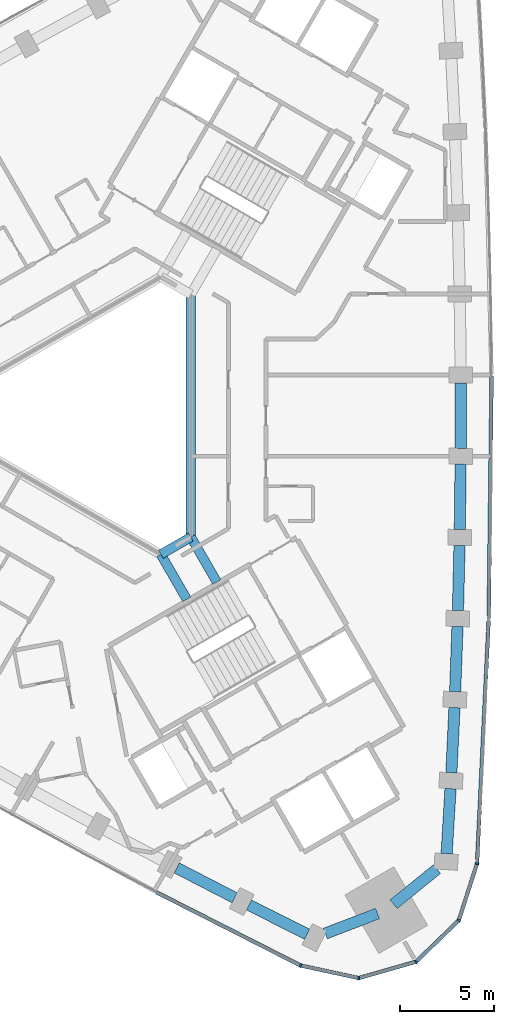
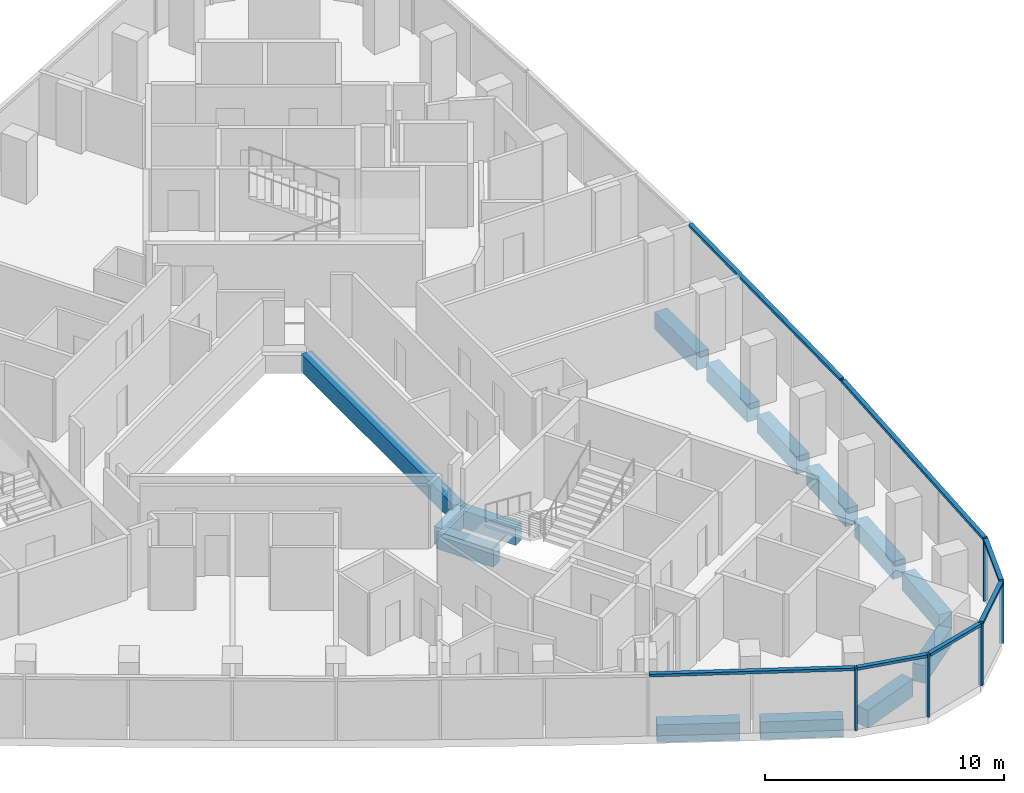
# One storey, part 3 of 13: 14 beams, 12 members, 2 elements without a shape of their own.
"""IFC4 building model written with IfcOpenShell, lengths in metres."""

from ifc_helpers import new_model, si_unit, direction, frame, origin, origin_2d, place, context, subcontext, project, spatial, rectangle, extrude, material, material_profile, profile_set, type_object, element, aggregate, save


model = new_model("IFC4")

# Units and contexts
model_context = context("Model", 3, precision=1e-05, world=origin(), true_north=direction((0.0, 1.0)))
body_context = subcontext(model_context, "Body", "Model", "MODEL_VIEW")
ifc_project = project(units=[si_unit("LENGTHUNIT", "METRE"), si_unit("AREAUNIT", "SQUARE_METRE"), si_unit("VOLUMEUNIT", "CUBIC_METRE"), si_unit("PLANEANGLEUNIT", "RADIAN"), si_unit("MASSUNIT", "GRAM", prefix="KILO")], contexts=[model_context])

# Site, building, storey
site_placement = place(None, origin())
site = spatial("IfcSite", under=ifc_project, at=site_placement, CompositionType="ELEMENT")
building_placement = place(site_placement, origin())
building = spatial("IfcBuilding", under=site, at=building_placement, Name="Tamra Quay Hotel Tower", CompositionType="ELEMENT")
storey_placement = place(building_placement, frame((0.0, 0.0, 132.39990234375)))
storey = spatial("IfcBuildingStorey", under=building, at=storey_placement, Name="L32", CompositionType="ELEMENT", Elevation=132.39990234375)

# Beams
ifc_material_1 = material(Name="Concrete M60", Category="concrete")
ifc_material_profile_1 = material_profile(ifc_material_1, rectangle(XDim=0.5, YDim=0.89990234375, at=origin_2d()), Name="ATRIUM EDGE BEAM RC 500x900")
ifc_profile_set_1 = profile_set([ifc_material_profile_1], Name="Concrete M60")
beam_type_1 = type_object("IfcBeamType", Name="ATRIUM EDGE BEAM RC 500x900", PredefinedType="BEAM", material=ifc_profile_set_1)
beam_1_placement = place(storey_placement, frame((4.800048828125, 6.46630859375, -0.849853515625), z_axis=(0.0, -1.0, 0.0), x_axis=(1.0, 0.0, 0.0)))
element("IfcBeam", 1, at=beam_1_placement, inside=storey, type_object=beam_type_1, Name="BM-AB0-L32", PredefinedType="BEAM", context=body_context, shape_type="SweptSolid", body=[
    extrude(rectangle(XDim=0.5, YDim=0.89990234375, at=origin_2d()), origin(), (0.0, 0.0, 1.0), 12.9326171875),
])
beam_2_placement = place(storey_placement, frame((4.800048828125, -6.46630859375, -0.849853515625), z_axis=(-0.86602275259, -0.500004591975, 0.0), x_axis=(0.500004591975, -0.86602275259, 0.0)))
element("IfcBeam", 2, at=beam_2_placement, inside=storey, type_object=beam_type_1, Name="BM-AB1-L32", PredefinedType="BEAM", context=body_context, shape_type="SweptSolid", body=[
    extrude(rectangle(XDim=0.5, YDim=0.89990234375, at=origin_2d()), origin(), (0.0, 0.0, 1.0), 1.84765625),
])
ifc_material_profile_2 = material_profile(ifc_material_1, rectangle(XDim=0.5, YDim=0.89990234375, at=origin_2d()), Name="ATRIUM TIE BEAM RC 500x900")
ifc_profile_set_2 = profile_set([ifc_material_profile_2], Name="Concrete M60")
beam_type_2 = type_object("IfcBeamType", Name="ATRIUM TIE BEAM RC 500x900", PredefinedType="BEAM", material=ifc_profile_set_2)
for number, where, z_axis, x_axis, name in (
    (3, (4.800048828125, -6.46630859375, -0.849853515625), (0.500008091576, -0.86602073206, 0.0), (0.86602073206, 0.500008091576, 0.0), "BM-TIE-1-L32"),
    (4, (3.199951171875, -7.39013671875, -0.849853515625), (0.500008091576, -0.86602073206, 0.0), (0.86602073206, 0.500008091576, 0.0), "BM-TIE-2-L32"),
):
    element("IfcBeam", number, at=place(storey_placement, frame(where, z_axis=z_axis, x_axis=x_axis)), inside=storey, type_object=beam_type_2, Name=name, PredefinedType="BEAM", context=body_context, shape_type="SweptSolid", body=[
        extrude(rectangle(XDim=0.5, YDim=0.89990234375, at=origin_2d()), origin(), (0.0, 0.0, 1.0), 2.76220703125),
    ])

# Curtain wall, member
ifc_material_2 = material(Name="Aluminium 6063 anodised dark grey", Category="aluminium")
curtain_wall_type_1 = type_object("IfcCurtainWallType", Name="CW1 CURTAIN WALL", PredefinedType="NOTDEFINED", material=ifc_material_2)
curtain_wall_1_placement = place(storey_placement, origin())
curtain_wall_1 = element("IfcCurtainWall", 5, at=curtain_wall_1_placement, inside=storey, type_object=curtain_wall_type_1, Name="CW1 east face L32", PredefinedType="NOTDEFINED")
ifc_material_profile_3 = material_profile(ifc_material_2, rectangle(XDim=0.199951171875, YDim=0.10009765625, at=origin_2d()), Name="MULLION 100X200")
ifc_profile_set_3 = profile_set([ifc_material_profile_3], Name="Aluminium 6063 anodised dark grey")
member_type_1 = type_object("IfcMemberType", Name="MULLION CW1 Z3", PredefinedType="MULLION", material=ifc_profile_set_3)
member_1_placement = place(storey_placement, frame((20.042236328125, -23.864990234375, 0.0), z_axis=(0.0, 0.0, 1.0), x_axis=(0.982883191402, -0.184229834881, 0.0)))
member_1 = element("IfcMember", 6, at=member_1_placement, type_object=member_type_1, Name="CW1 mullion L32.E.1", PredefinedType="MULLION", context=body_context, shape_type="SweptSolid", body=[
    extrude(rectangle(XDim=0.199951171875, YDim=0.10009765625, at=origin_2d()), origin(), (0.0, 0.0, 1.0), 3.2001953125),
])

# Curtain wall, members
curtain_wall_type_2 = type_object("IfcCurtainWallType", Name="CW3 CURTAIN WALL", PredefinedType="NOTDEFINED", material=ifc_material_2)
curtain_wall_2_placement = place(storey_placement, origin())
curtain_wall_2 = element("IfcCurtainWall", 7, at=curtain_wall_2_placement, inside=storey, type_object=curtain_wall_type_2, Name="CW3 south-west face L32", PredefinedType="NOTDEFINED")
ifc_material_profile_4 = material_profile(ifc_material_2, rectangle(XDim=0.199951171875, YDim=0.10009765625, at=origin_2d()), Name="MULLION 100X200")
ifc_profile_set_4 = profile_set([ifc_material_profile_4], Name="Aluminium 6063 anodised dark grey")
member_type_2 = type_object("IfcMemberType", Name="MULLION CW3 Z3", PredefinedType="MULLION", material=ifc_profile_set_4)
member_2_placement = place(storey_placement, frame((10.646728515625, -29.28955078125, 0.0), z_axis=(0.0, 0.0, 1.0), x_axis=(-0.331893878559, -0.943316730147, 0.0)))
member_2 = element("IfcMember", 8, at=member_2_placement, type_object=member_type_2, Name="CW3 mullion L32.SW.12", PredefinedType="MULLION", context=body_context, shape_type="SweptSolid", body=[
    extrude(rectangle(XDim=0.199951171875, YDim=0.10009765625, at=origin_2d()), origin(), (0.0, 0.0, 1.0), 3.2001953125),
])
member_3_placement = place(storey_placement, frame((13.74560546875, -29.958740234375, 0.0), z_axis=(0.0, 0.0, 1.0), x_axis=(0.032727311619, -0.99946431806, 0.0)))
member_3 = element("IfcMember", 9, at=member_3_placement, type_object=member_type_2, Name="CW3 mullion L32.SW.13", PredefinedType="MULLION", context=body_context, shape_type="SweptSolid", body=[
    extrude(rectangle(XDim=0.199951171875, YDim=0.10009765625, at=origin_2d()), origin(), (0.0, 0.0, 1.0), 3.2001953125),
])
member_4_placement = place(storey_placement, frame((16.794189453125, -29.088134765625, 0.0), z_axis=(0.0, 0.0, 1.0), x_axis=(0.5, -0.866025403784, 0.0)))
member_4 = element("IfcMember", 10, at=member_4_placement, type_object=member_type_2, Name="CW3 mullion L32.SW.14", PredefinedType="MULLION", context=body_context, shape_type="SweptSolid", body=[
    extrude(rectangle(XDim=0.199951171875, YDim=0.10009765625, at=origin_2d()), origin(), (0.0, 0.0, 1.0), 3.2001953125),
])
member_5_placement = place(storey_placement, frame((19.072265625, -26.883544921875, 0.0), z_axis=(0.0, 0.0, 1.0), x_axis=(0.849197833806, -0.52807484229, 0.0)))
member_5 = element("IfcMember", 11, at=member_5_placement, type_object=member_type_2, Name="CW3 mullion L32.SW.15", PredefinedType="MULLION", context=body_context, shape_type="SweptSolid", body=[
    extrude(rectangle(XDim=0.199951171875, YDim=0.10009765625, at=origin_2d()), origin(), (0.0, 0.0, 1.0), 3.2001953125),
])

# Beams
ifc_material_profile_5 = material_profile(ifc_material_1, rectangle(XDim=0.60009765625, YDim=0.89990234375, at=origin_2d()), Name="SPANDREL BEAM RC 600x900")
ifc_profile_set_5 = profile_set([ifc_material_profile_5], Name="Concrete M60")
beam_type_3 = type_object("IfcBeamType", Name="SPANDREL BEAM RC 600x900", PredefinedType="SPANDREL", material=ifc_profile_set_5)
beam_3_placement = place(storey_placement, frame((18.422119140625, -23.3330078125, -0.849853515625), z_axis=(0.059620475238, 0.998221117254, 0.0), x_axis=(-0.998221117254, 0.059620475238, 0.0)))
element("IfcBeam", 12, at=beam_3_placement, inside=storey, type_object=beam_type_3, Name="BM-SP3-000-L32", PredefinedType="SPANDREL", context=body_context, shape_type="SweptSolid", body=[
    extrude(rectangle(XDim=0.60009765625, YDim=0.89990234375, at=origin_2d()), origin(), (0.0, 0.0, 1.0), 3.472412109375),
])
beam_4_placement = place(storey_placement, frame((18.6748046875, -19.017822265625, -0.849853515625), z_axis=(0.047732145575, 0.998860171535, 0.0), x_axis=(-0.998860171535, 0.047732145575, 0.0)))
element("IfcBeam", 13, at=beam_4_placement, inside=storey, type_object=beam_type_3, Name="BM-SP3-001-L32", PredefinedType="SPANDREL", context=body_context, shape_type="SweptSolid", body=[
    extrude(rectangle(XDim=0.60009765625, YDim=0.89990234375, at=origin_2d()), origin(), (0.0, 0.0, 1.0), 3.472900390625),
])
beam_5_placement = place(storey_placement, frame((18.876220703125, -14.69970703125, -0.849853515625), z_axis=(0.035786826945, 0.999359446354, 0.0), x_axis=(-0.999359446354, 0.035786826945, 0.0)))
element("IfcBeam", 14, at=beam_5_placement, inside=storey, type_object=beam_type_3, Name="BM-SP3-002-L32", PredefinedType="SPANDREL", context=body_context, shape_type="SweptSolid", body=[
    extrude(rectangle(XDim=0.60009765625, YDim=0.89990234375, at=origin_2d()), origin(), (0.0, 0.0, 1.0), 3.472412109375),
])
beam_6_placement = place(storey_placement, frame((19.02587890625, -10.3798828125, -0.849853515625), z_axis=(0.023906514803, 0.999714198434, 0.0), x_axis=(-0.999714198434, 0.023906514803, 0.0)))
element("IfcBeam", 15, at=beam_6_placement, inside=storey, type_object=beam_type_3, Name="BM-SP3-003-L32", PredefinedType="SPANDREL", context=body_context, shape_type="SweptSolid", body=[
    extrude(rectangle(XDim=0.60009765625, YDim=0.89990234375, at=origin_2d()), origin(), (0.0, 0.0, 1.0), 3.47216796875),
])
beam_7_placement = place(storey_placement, frame((19.124267578125, -6.05859375, -0.849853515625), z_axis=(0.011951617666, 0.999928576867, 0.0), x_axis=(-0.999928576867, 0.011951617666, 0.0)))
element("IfcBeam", 16, at=beam_7_placement, inside=storey, type_object=beam_type_3, Name="BM-SP3-004-L32", PredefinedType="SPANDREL", context=body_context, shape_type="SweptSolid", body=[
    extrude(rectangle(XDim=0.60009765625, YDim=0.89990234375, at=origin_2d()), origin(), (0.0, 0.0, 1.0), 3.47265625),
])
beam_8_placement = place(storey_placement, frame((19.1708984375, -1.736083984375, -0.849853515625), z_axis=(0.0, 1.0, 0.0), x_axis=(-1.0, 0.0, 0.0)))
element("IfcBeam", 17, at=beam_8_placement, inside=storey, type_object=beam_type_3, Name="BM-SP3-005-L32", PredefinedType="SPANDREL", context=body_context, shape_type="SweptSolid", body=[
    extrude(rectangle(XDim=0.60009765625, YDim=0.89990234375, at=origin_2d()), origin(), (0.0, 0.0, 1.0), 3.47216796875),
])
beam_9_placement = place(storey_placement, frame((4.04541015625, -24.0908203125, -0.849853515625), z_axis=(0.888919913451, -0.458062645792, 0.0), x_axis=(0.458062645792, 0.888919913451, 0.0)))
element("IfcBeam", 18, at=beam_9_placement, inside=storey, type_object=beam_type_3, Name="BM-SP3-035-L32", PredefinedType="SPANDREL", context=body_context, shape_type="SweptSolid", body=[
    extrude(rectangle(XDim=0.60009765625, YDim=0.89990234375, at=origin_2d()), origin(), (0.0, 0.0, 1.0), 3.472900390625),
])
beam_10_placement = place(storey_placement, frame((7.890380859375, -26.066650390625, -0.849853515625), z_axis=(0.894314670292, -0.447438566174, 0.0), x_axis=(0.447438566174, 0.894314670292, 0.0)))
element("IfcBeam", 19, at=beam_10_placement, inside=storey, type_object=beam_type_3, Name="BM-SP3-036-L32", PredefinedType="SPANDREL", context=body_context, shape_type="SweptSolid", body=[
    extrude(rectangle(XDim=0.60009765625, YDim=0.89990234375, at=origin_2d()), origin(), (0.0, 0.0, 1.0), 3.472412109375),
])
beam_11_placement = place(storey_placement, frame((11.960693359375, -27.586181640625, -0.849853515625), z_axis=(0.933527198951, 0.358506581278, 0.0), x_axis=(-0.358506581278, 0.933527198951, 0.0)))
element("IfcBeam", 20, at=beam_11_placement, inside=storey, type_object=beam_type_3, Name="BM-SP3-037-L32", PredefinedType="SPANDREL", context=body_context, shape_type="SweptSolid", body=[
    extrude(rectangle(XDim=0.60009765625, YDim=0.89990234375, at=origin_2d()), origin(), (0.0, 0.0, 1.0), 2.97802734375),
])
beam_12_placement = place(storey_placement, frame((15.595703125, -26.02490234375, -0.849853515625), z_axis=(0.777183767602, 0.629273701482, 0.0), x_axis=(-0.629273701482, 0.777183767602, 0.0)))
element("IfcBeam", 21, at=beam_12_placement, inside=storey, type_object=beam_type_3, Name="BM-SP3-038-L32", PredefinedType="SPANDREL", context=body_context, shape_type="SweptSolid", body=[
    extrude(rectangle(XDim=0.60009765625, YDim=0.89990234375, at=origin_2d()), origin(), (0.0, 0.0, 1.0), 2.977783203125),
])

# Member
ifc_material_profile_6 = material_profile(ifc_material_2, rectangle(XDim=0.199951171875, YDim=0.139892578125, at=origin_2d()), Name="TRANSOM 200X140")
ifc_profile_set_6 = profile_set([ifc_material_profile_6], Name="Aluminium 6063 anodised dark grey")
member_type_3 = type_object("IfcMemberType", Name="TRANSOM CW1 Z3", PredefinedType="USERDEFINED", material=ifc_profile_set_6)
member_6_placement = place(storey_placement, frame((20.045166015625, -23.815185546875, 3.130126953125), z_axis=(0.047748214434, 0.998859403529, 0.0), x_axis=(-0.998859403529, 0.047748214434, 0.0)))
member_6 = element("IfcMember", 22, at=member_6_placement, type_object=member_type_3, Name="CW1 transom L32.E.1", ObjectType="TRANSOM", PredefinedType="USERDEFINED", context=body_context, shape_type="SweptSolid", body=[
    extrude(rectangle(XDim=0.199951171875, YDim=0.139892578125, at=origin_2d()), origin(), (0.0, 0.0, 1.0), 12.92578125),
])

member_7_placement = place(storey_placement, frame((20.665283203125, -10.80419921875, 3.130126953125), z_axis=(0.011955400346, 0.999928531647, 0.0), x_axis=(-0.999928531647, 0.011955400346, 0.0)))
member_7 = element("IfcMember", 23, at=member_7_placement, type_object=member_type_3, Name="CW1 transom L32.E.4", ObjectType="TRANSOM", PredefinedType="USERDEFINED", context=body_context, shape_type="SweptSolid", body=[
    extrude(rectangle(XDim=0.199951171875, YDim=0.139892578125, at=origin_2d()), origin(), (0.0, 0.0, 1.0), 12.926513671875),
])

aggregate(curtain_wall_1, [member_1, member_6, member_7])

ifc_material_profile_7 = material_profile(ifc_material_2, rectangle(XDim=0.199951171875, YDim=0.139892578125, at=origin_2d()), Name="TRANSOM 200X140")
ifc_profile_set_7 = profile_set([ifc_material_profile_7], Name="Aluminium 6063 anodised dark grey")
member_type_4 = type_object("IfcMemberType", Name="TRANSOM CW3 Z3", PredefinedType="USERDEFINED", material=ifc_profile_set_7)
member_8_placement = place(storey_placement, frame((2.948486328125, -25.380615234375, 3.130126953125), z_axis=(0.891628261752, -0.452768199905, 0.0), x_axis=(0.452768199905, 0.891628261752, 0.0)))
member_8 = element("IfcMember", 24, at=member_8_placement, type_object=member_type_4, Name="CW3 transom L32.SW.10", ObjectType="TRANSOM", PredefinedType="USERDEFINED", context=body_context, shape_type="SweptSolid", body=[
    extrude(rectangle(XDim=0.199951171875, YDim=0.139892578125, at=origin_2d()), origin(), (0.0, 0.0, 1.0), 8.583740234375),
])

member_9_placement = place(storey_placement, frame((10.695556640625, -29.300048828125, 3.130126953125), z_axis=(0.977462525021, -0.211109005445, 0.0), x_axis=(0.211109005445, 0.977462525021, 0.0)))
member_9 = element("IfcMember", 25, at=member_9_placement, type_object=member_type_4, Name="CW3 transom L32.SW.12", ObjectType="TRANSOM", PredefinedType="USERDEFINED", context=body_context, shape_type="SweptSolid", body=[
    extrude(rectangle(XDim=0.199951171875, YDim=0.139892578125, at=origin_2d()), origin(), (0.0, 0.0, 1.0), 3.0703125),
])

member_10_placement = place(storey_placement, frame((13.793701171875, -29.945068359375, 3.130126953125), z_axis=(0.961568942949, 0.274563595469, 0.0), x_axis=(-0.274563595469, 0.961568942949, 0.0)))
member_10 = element("IfcMember", 26, at=member_10_placement, type_object=member_type_4, Name="CW3 transom L32.SW.13", ObjectType="TRANSOM", PredefinedType="USERDEFINED", context=body_context, shape_type="SweptSolid", body=[
    extrude(rectangle(XDim=0.199951171875, YDim=0.139892578125, at=origin_2d()), origin(), (0.0, 0.0, 1.0), 3.0703125),
])

member_11_placement = place(storey_placement, frame((16.830078125, -29.053466796875, 3.130126953125), z_axis=(0.71858163235, 0.695442619955, 0.0), x_axis=(-0.695442619955, 0.71858163235, 0.0)))
member_11 = element("IfcMember", 27, at=member_11_placement, type_object=member_type_4, Name="CW3 transom L32.SW.14", ObjectType="TRANSOM", PredefinedType="USERDEFINED", context=body_context, shape_type="SweptSolid", body=[
    extrude(rectangle(XDim=0.199951171875, YDim=0.139892578125, at=origin_2d()), origin(), (0.0, 0.0, 1.0), 3.0703125),
])

member_12_placement = place(storey_placement, frame((19.087646484375, -26.8359375, 3.130126953125), z_axis=(0.30588048859, 0.952069916918, 0.0), x_axis=(-0.952069916918, 0.30588048859, 0.0)))
member_12 = element("IfcMember", 28, at=member_12_placement, type_object=member_type_4, Name="CW3 transom L32.SW.15", ObjectType="TRANSOM", PredefinedType="USERDEFINED", context=body_context, shape_type="SweptSolid", body=[
    extrude(rectangle(XDim=0.199951171875, YDim=0.139892578125, at=origin_2d()), origin(), (0.0, 0.0, 1.0), 3.070556640625),
])

aggregate(curtain_wall_2, [member_8, member_2, member_9, member_3, member_10, member_4, member_11, member_5, member_12])

save(model, "model.ifc")
